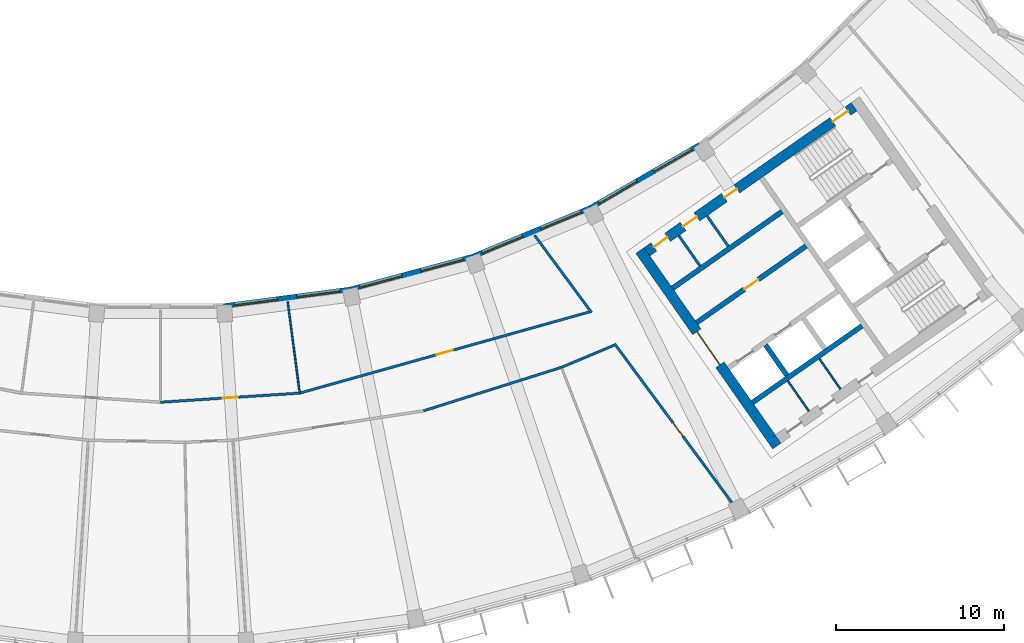
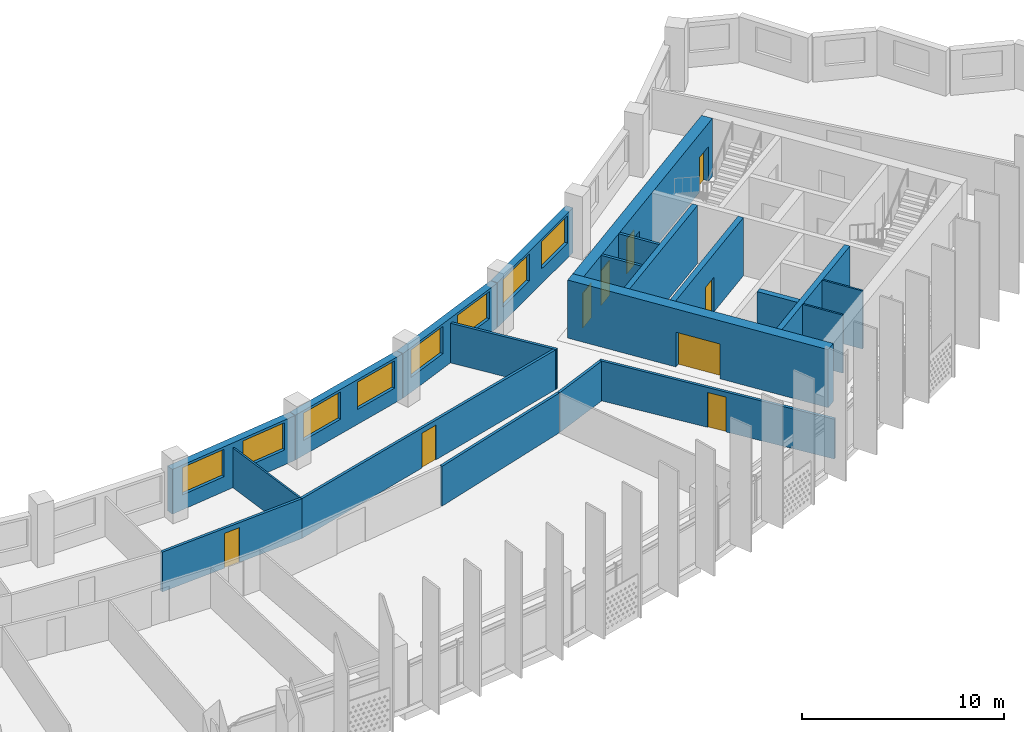
# One storey, part 6 of 28: 21 walls, 9 doors, 8 windows, 17 openings.
"""IFC4 building model written with IfcOpenShell, lengths in metres."""

from ifc_helpers import new_model, si_unit, direction, frame, frame_2d, origin, place, context, subcontext, project, spatial, rectangle, extrude, material, layer, layer_set, type_object, element, fill, save


model = new_model("IFC4")

# Units and contexts
model_context = context("Model", 3, precision=1e-05, world=origin(), true_north=direction((0.0, 1.0)))
body_context = subcontext(model_context, "Body", "Model", "MODEL_VIEW")
ifc_project = project(units=[si_unit("LENGTHUNIT", "METRE"), si_unit("AREAUNIT", "SQUARE_METRE"), si_unit("VOLUMEUNIT", "CUBIC_METRE"), si_unit("PLANEANGLEUNIT", "RADIAN"), si_unit("MASSUNIT", "GRAM", prefix="KILO")], contexts=[model_context])

# Site, building, storey
site_placement = place(None, origin())
site = spatial("IfcSite", under=ifc_project, at=site_placement, CompositionType="ELEMENT")
building_placement = place(site_placement, origin())
building = spatial("IfcBuilding", under=site, at=building_placement, Name="Qamariyya Broadcast Tower", CompositionType="ELEMENT")
storey_placement = place(building_placement, frame((0.0, 0.0, 273.300048828125)))
storey = spatial("IfcBuildingStorey", under=building, at=storey_placement, Name="L66", CompositionType="ELEMENT", Elevation=273.300048828125)

# Wall, opening, door
ifc_material_1 = material(Name="Concrete C60/75", Category="concrete")
ifc_layer_1 = layer(ifc_material_1, 0.60009765625)
ifc_layer_set_1 = layer_set([ifc_layer_1], Name="Core wall 600 mm Concrete C60/75")
wall_type_1 = type_object("IfcWallType", Name="Core wall 600 mm Concrete C60/75", PredefinedType="SHEAR", material=ifc_layer_set_1)
wall_1_placement = place(storey_placement, frame((36.66748046875, -66.005126953125, 0.0), z_axis=(0.0, 0.0, 1.0), x_axis=(-0.573568499524, 0.819157601658, 0.0)))
wall_1 = element("IfcWall", 1, at=wall_1_placement, inside=storey, type_object=wall_type_1, Name="k-E-L66-WA", PredefinedType="SHEAR", context=body_context, shape_type="SweptSolid", body=[
    extrude(rectangle(XDim=14.19970703125, YDim=0.60009765625, at=frame_2d((7.099853515625, 0.0))), origin(), (0.0, 0.0, 1.0), 3.5),
])
opening_1_placement = place(wall_1_placement, frame((5.89990234375, 0.0, 0.0)))
opening_1 = element("IfcOpeningElement", 2, at=opening_1_placement, cuts=wall_1, Name="Opening KD3-E1", PredefinedType="OPENING", context=body_context, shape_type="SweptSolid", body=[
    extrude(rectangle(XDim=2.39990234375, YDim=2.10009765625, at=frame_2d((1.199951171875, 1.050048828125))), frame((0.0, 0.31005859375, 0.0), z_axis=(0.0, -1.0, 0.0), x_axis=(1.0, 0.0, 0.0)), (0.0, 0.0, 1.0), 0.6201171875),
])
ifc_material_2 = material(Name="Steel fire-resisting door leaf", Category="steel")
door_type_1 = type_object("IfcDoorType", Name="Lift lobby door KD3", OperationType="DOUBLE_DOOR_SINGLE_SWING", PredefinedType="DOOR", material=ifc_material_2)
door_1_placement = place(opening_1_placement, origin())
door_1 = element("IfcDoor", 3, at=door_1_placement, inside=storey, type_object=door_type_1, Name="k-E-L66-WA-D1", OperationType="DOUBLE_DOOR_SINGLE_SWING", OverallHeight=2.10009765625, OverallWidth=2.39990234375, PredefinedType="DOOR", context=body_context, shape_type="SweptSolid", body=[
    extrude(rectangle(XDim=2.39990234375, YDim=2.10009765625, at=frame_2d((1.199951171875, 1.050048828125))), frame((0.0, 0.02490234375, 0.0), z_axis=(0.0, -1.0, 0.0), x_axis=(1.0, 0.0, 0.0)), (0.0, 0.0, 1.0), 0.050048828125),
])
fill(opening_1, door_1)

# Wall, openings, doors
wall_2_placement = place(storey_placement, frame((28.940673828125, -54.447021484375, 0.0), z_axis=(0.0, 0.0, 1.0), x_axis=(0.819153391756, 0.573574511963, 0.0)))
wall_2 = element("IfcWall", 4, at=wall_2_placement, inside=storey, type_object=wall_type_1, Name="k-E-L66-WI", PredefinedType="SHEAR", context=body_context, shape_type="SweptSolid", body=[
    extrude(rectangle(XDim=15.04541015625, YDim=0.60009765625, at=frame_2d((7.522705078125, 0.0))), origin(), (0.0, 0.0, 1.0), 3.5),
])
opening_2_placement = place(wall_2_placement, frame((0.5, 0.0, 0.0)))
opening_2 = element("IfcOpeningElement", 5, at=opening_2_placement, cuts=wall_2, Name="Opening KD6-E2", PredefinedType="OPENING", context=body_context, shape_type="SweptSolid", body=[
    extrude(rectangle(XDim=1.0, YDim=2.10009765625, at=frame_2d((0.5, 1.050048828125))), frame((0.0, 0.31005859375, 0.0), z_axis=(0.0, -1.0, 0.0), x_axis=(1.0, 0.0, 0.0)), (0.0, 0.0, 1.0), 0.6201171875),
])
opening_3_placement = place(wall_2_placement, frame((2.625, 0.0, 0.0)))
opening_3 = element("IfcOpeningElement", 6, at=opening_3_placement, cuts=wall_2, Name="Opening KD7-E1", PredefinedType="OPENING", context=body_context, shape_type="SweptSolid", body=[
    extrude(rectangle(XDim=1.0, YDim=2.10009765625, at=frame_2d((0.5, 1.050048828125))), frame((0.0, 0.31005859375, 0.0), z_axis=(0.0, -1.0, 0.0), x_axis=(1.0, 0.0, 0.0)), (0.0, 0.0, 1.0), 0.6201171875),
])
opening_4_placement = place(wall_2_placement, frame((5.625, 0.0, 0.0)))
opening_4 = element("IfcOpeningElement", 7, at=opening_4_placement, cuts=wall_2, Name="Opening KD5-E1", PredefinedType="OPENING", context=body_context, shape_type="SweptSolid", body=[
    extrude(rectangle(XDim=0.89990234375, YDim=2.10009765625, at=frame_2d((0.449951171875, 1.050048828125))), frame((0.0, 0.31005859375, 0.0), z_axis=(0.0, -1.0, 0.0), x_axis=(1.0, 0.0, 0.0)), (0.0, 0.0, 1.0), 0.6201171875),
])
opening_5_placement = place(wall_2_placement, frame((13.495361328125, 0.0, 0.0)))
opening_5 = element("IfcOpeningElement", 8, at=opening_5_placement, cuts=wall_2, Name="Opening KD1-E1", PredefinedType="OPENING", context=body_context, shape_type="SweptSolid", body=[
    extrude(rectangle(XDim=1.10009765625, YDim=2.10009765625, at=frame_2d((0.550048828125, 1.050048828125))), frame((0.0, 0.31005859375, 0.0), z_axis=(0.0, -1.0, 0.0), x_axis=(1.0, 0.0, 0.0)), (0.0, 0.0, 1.0), 0.6201171875),
])
door_type_2 = type_object("IfcDoorType", Name="Accessible toilet door KD7", OperationType="SINGLE_SWING_LEFT", PredefinedType="DOOR", material=ifc_material_2)
door_2_placement = place(opening_3_placement, origin())
door_2 = element("IfcDoor", 9, at=door_2_placement, inside=storey, type_object=door_type_2, Name="k-E-L66-WI-D6", OperationType="SINGLE_SWING_RIGHT", OverallHeight=2.10009765625, OverallWidth=1.0, PredefinedType="DOOR", context=body_context, shape_type="SweptSolid", body=[
    extrude(rectangle(XDim=1.0, YDim=2.10009765625, at=frame_2d((0.5, 1.050048828125))), frame((0.0, 0.02490234375, 0.0), z_axis=(0.0, -1.0, 0.0), x_axis=(1.0, 0.0, 0.0)), (0.0, 0.0, 1.0), 0.050048828125),
])
fill(opening_3, door_2)
door_type_3 = type_object("IfcDoorType", Name="Core room door KD6", OperationType="SINGLE_SWING_LEFT", PredefinedType="DOOR", material=ifc_material_2)
door_3_placement = place(opening_2_placement, origin())
door_3 = element("IfcDoor", 10, at=door_3_placement, inside=storey, type_object=door_type_3, Name="k-E-L66-WI-D5", OperationType="SINGLE_SWING_LEFT", OverallHeight=2.10009765625, OverallWidth=1.0, PredefinedType="DOOR", context=body_context, shape_type="SweptSolid", body=[
    extrude(rectangle(XDim=1.0, YDim=2.10009765625, at=frame_2d((0.5, 1.050048828125))), frame((0.0, 0.02490234375, 0.0), z_axis=(0.0, -1.0, 0.0), x_axis=(1.0, 0.0, 0.0)), (0.0, 0.0, 1.0), 0.050048828125),
])
fill(opening_2, door_3)
door_type_4 = type_object("IfcDoorType", Name="Stair door KD1", OperationType="SINGLE_SWING_LEFT", PredefinedType="DOOR", material=ifc_material_2)
door_4_placement = place(opening_5_placement, origin())
door_4 = element("IfcDoor", 11, at=door_4_placement, inside=storey, type_object=door_type_4, Name="k-E-L66-WI-D14", OperationType="SINGLE_SWING_RIGHT", OverallHeight=2.10009765625, OverallWidth=1.10009765625, PredefinedType="DOOR", context=body_context, shape_type="SweptSolid", body=[
    extrude(rectangle(XDim=1.10009765625, YDim=2.10009765625, at=frame_2d((0.550048828125, 1.050048828125))), frame((0.0, 0.02490234375, 0.0), z_axis=(0.0, -1.0, 0.0), x_axis=(1.0, 0.0, 0.0)), (0.0, 0.0, 1.0), 0.050048828125),
])
fill(opening_5, door_4)
door_type_5 = type_object("IfcDoorType", Name="Toilet door KD5", OperationType="SINGLE_SWING_LEFT", PredefinedType="DOOR", material=ifc_material_2)
door_5_placement = place(opening_4_placement, origin())
door_5 = element("IfcDoor", 12, at=door_5_placement, inside=storey, type_object=door_type_5, Name="k-E-L66-WI-D7", OperationType="SINGLE_SWING_LEFT", OverallHeight=2.10009765625, OverallWidth=0.89990234375, PredefinedType="DOOR", context=body_context, shape_type="SweptSolid", body=[
    extrude(rectangle(XDim=0.89990234375, YDim=2.10009765625, at=frame_2d((0.449951171875, 1.050048828125))), frame((0.0, 0.02490234375, 0.0), z_axis=(0.0, -1.0, 0.0), x_axis=(1.0, 0.0, 0.0)), (0.0, 0.0, 1.0), 0.050048828125),
])
fill(opening_4, door_5)

# Wall, opening, door
ifc_material_3 = material(Name="Gypsum board partition")
ifc_layer_2 = layer(ifc_material_3, 0.14990234375)
ifc_layer_set_2 = layer_set([ifc_layer_2], Name="Corridor partition 150 EI 60")
wall_type_2 = type_object("IfcWallType", Name="Corridor partition 150 EI 60", PredefinedType="PARTITIONING", material=ifc_layer_set_2)
wall_3_placement = place(storey_placement, frame((0.0, -63.39990234375, 0.0), z_axis=(0.0, 0.0, 1.0), x_axis=(0.997860193426, 0.065383747038, 0.0)))
wall_3 = element("IfcWall", 13, at=wall_3_placement, inside=storey, type_object=wall_type_2, Name="Partition L66-016", PredefinedType="PARTITIONING", context=body_context, shape_type="SweptSolid", body=[
    extrude(rectangle(XDim=8.293212890625, YDim=0.14990234375, at=frame_2d((4.146484375, 0.0))), origin(), (0.0, 0.0, 1.0), 2.39990234375),
])
opening_6_placement = place(wall_3_placement, frame((3.696533203125, 0.0, 0.0)))
opening_6 = element("IfcOpeningElement", 14, at=opening_6_placement, cuts=wall_3, Name="Opening L66-D11", PredefinedType="OPENING", context=body_context, shape_type="SweptSolid", body=[
    extrude(rectangle(XDim=0.89990234375, YDim=2.10009765625, at=frame_2d((0.449951171875, 1.050048828125))), frame((0.0, 0.0849609375, 0.0), z_axis=(0.0, -1.0, 0.0), x_axis=(1.0, 0.0, 0.0)), (0.0, 0.0, 1.0), 0.169921875),
])
ifc_material_4 = material(Name="Timber fire door leaf", Category="wood")
door_type_6 = type_object("IfcDoorType", Name="Fire door 900 x 2100 FD60", OperationType="NOTDEFINED", PredefinedType="DOOR", material=ifc_material_4)
door_6_placement = place(opening_6_placement, origin())
door_6 = element("IfcDoor", 15, at=door_6_placement, inside=storey, type_object=door_type_6, Name="Door L66-D11", OperationType="SINGLE_SWING_RIGHT", OverallHeight=2.10009765625, OverallWidth=0.89990234375, PredefinedType="DOOR", context=body_context, shape_type="SweptSolid", body=[
    extrude(rectangle(XDim=0.89990234375, YDim=2.10009765625, at=frame_2d((0.449951171875, 1.050048828125))), frame((0.0, 0.02490234375, 0.0), z_axis=(0.0, -1.0, 0.0), x_axis=(1.0, 0.0, 0.0)), (0.0, 0.0, 1.0), 0.050048828125),
])
fill(opening_6, door_6)

wall_4_placement = place(storey_placement, frame((8.275390625, -62.857666015625, 0.0), z_axis=(0.0, 0.0, 1.0), x_axis=(0.962894070423, 0.269879619727, 0.0)))
wall_4 = element("IfcWall", 16, at=wall_4_placement, inside=storey, type_object=wall_type_2, Name="Partition L66-023", PredefinedType="PARTITIONING", context=body_context, shape_type="SweptSolid", body=[
    extrude(rectangle(XDim=17.915283203125, YDim=0.14990234375, at=frame_2d((8.95751953125, 0.0))), origin(), (0.0, 0.0, 1.0), 2.39990234375),
])
opening_7_placement = place(wall_4_placement, frame((8.45751953125, 0.0, 0.0)))
opening_7 = element("IfcOpeningElement", 17, at=opening_7_placement, cuts=wall_4, Name="Opening L66-D12", PredefinedType="OPENING", context=body_context, shape_type="SweptSolid", body=[
    extrude(rectangle(XDim=1.0, YDim=2.10009765625, at=frame_2d((0.5, 1.050048828125))), frame((0.0, 0.0849609375, 0.0), z_axis=(0.0, -1.0, 0.0), x_axis=(1.0, 0.0, 0.0)), (0.0, 0.0, 1.0), 0.169921875),
])
door_type_7 = type_object("IfcDoorType", Name="Fire door 1000 x 2100 FD60", OperationType="NOTDEFINED", PredefinedType="DOOR", material=ifc_material_4)
door_7_placement = place(opening_7_placement, origin())
door_7 = element("IfcDoor", 18, at=door_7_placement, inside=storey, type_object=door_type_7, Name="Door L66-D12", OperationType="SINGLE_SWING_RIGHT", OverallHeight=2.10009765625, OverallWidth=1.0, PredefinedType="DOOR", context=body_context, shape_type="SweptSolid", body=[
    extrude(rectangle(XDim=1.0, YDim=2.10009765625, at=frame_2d((0.5, 1.050048828125))), frame((0.0, 0.02490234375, 0.0), z_axis=(0.0, -1.0, 0.0), x_axis=(1.0, 0.0, 0.0)), (0.0, 0.0, 1.0), 0.050048828125),
])
fill(opening_7, door_7)

# Walls
wall_5_placement = place(storey_placement, frame((15.646240234375, -63.912109375, 0.0), z_axis=(0.0, 0.0, 1.0), x_axis=(0.953721600462, 0.300691052097, 0.0)))
element("IfcWall", 19, at=wall_5_placement, inside=storey, type_object=wall_type_2, Name="Partition L66-024", PredefinedType="PARTITIONING", context=body_context, shape_type="SweptSolid", body=[
    extrude(rectangle(XDim=8.598388671875, YDim=0.14990234375, at=frame_2d((4.29931640625, 0.0))), origin(), (0.0, 0.0, 1.0), 2.39990234375),
])
wall_6_placement = place(storey_placement, frame((22.251953125, -53.469482421875, 0.0), z_axis=(0.0, 0.0, 1.0), x_axis=(0.593872728047, -0.804558999006, 0.0)))
element("IfcWall", 20, at=wall_6_placement, inside=storey, type_object=wall_type_2, Name="Partition L66-025", PredefinedType="PARTITIONING", context=body_context, shape_type="SweptSolid", body=[
    extrude(rectangle(XDim=5.709228515625, YDim=0.14990234375, at=frame_2d((2.8544921875, 0.0))), origin(), (0.0, 0.0, 1.0), 2.39990234375),
])
wall_7_placement = place(storey_placement, frame((23.8466796875, -61.32666015625, 0.0), z_axis=(0.0, 0.0, 1.0), x_axis=(0.922124291828, 0.386893771494, 0.0)))
element("IfcWall", 21, at=wall_7_placement, inside=storey, type_object=wall_type_2, Name="Partition L66-026", PredefinedType="PARTITIONING", context=body_context, shape_type="SweptSolid", body=[
    extrude(rectangle(XDim=3.406982421875, YDim=0.14990234375, at=frame_2d((1.70361328125, 0.0))), origin(), (0.0, 0.0, 1.0), 2.39990234375),
])

# Wall, opening, door
wall_8_placement = place(storey_placement, frame((34.534423828125, -70.109130859375, 0.0), z_axis=(0.0, 0.0, 1.0), x_axis=(-0.593869528805, 0.804561360467, 0.0)))
wall_8 = element("IfcWall", 22, at=wall_8_placement, inside=storey, type_object=wall_type_2, Name="Partition L66-027", PredefinedType="PARTITIONING", context=body_context, shape_type="SweptSolid", body=[
    extrude(rectangle(XDim=12.665283203125, YDim=0.14990234375, at=frame_2d((6.33251953125, 0.0))), origin(), (0.0, 0.0, 1.0), 2.39990234375),
])
opening_8_placement = place(wall_8_placement, frame((5.832763671875, 0.0, 0.0)))
opening_8 = element("IfcOpeningElement", 23, at=opening_8_placement, cuts=wall_8, Name="Opening L66-D07", PredefinedType="OPENING", context=body_context, shape_type="SweptSolid", body=[
    extrude(rectangle(XDim=1.0, YDim=2.10009765625, at=frame_2d((0.5, 1.050048828125))), frame((0.0, 0.0849609375, 0.0), z_axis=(0.0, -1.0, 0.0), x_axis=(1.0, 0.0, 0.0)), (0.0, 0.0, 1.0), 0.169921875),
])
door_8_placement = place(opening_8_placement, origin())
door_8 = element("IfcDoor", 24, at=door_8_placement, inside=storey, type_object=door_type_7, Name="Door L66-D07", OperationType="SINGLE_SWING_RIGHT", OverallHeight=2.10009765625, OverallWidth=1.0, PredefinedType="DOOR", context=body_context, shape_type="SweptSolid", body=[
    extrude(rectangle(XDim=1.0, YDim=2.10009765625, at=frame_2d((0.5, 1.050048828125))), frame((0.0, 0.02490234375, 0.0), z_axis=(0.0, -1.0, 0.0), x_axis=(1.0, 0.0, 0.0)), (0.0, 0.0, 1.0), 0.050048828125),
])
fill(opening_8, door_8)

# Walls
ifc_material_5 = material(Name="Gypsum board partition on steel studs", Category="steel")
ifc_layer_3 = layer(ifc_material_5, 0.14990234375)
ifc_layer_set_3 = layer_set([ifc_layer_3], Name="Gypsum board partition 150 mm")
wall_type_3 = type_object("IfcWallType", Name="Gypsum board partition 150 mm", PredefinedType="PARTITIONING", material=ifc_layer_set_3)
wall_9_placement = place(storey_placement, frame((32.0947265625, -55.290283203125, 0.0), z_axis=(0.0, 0.0, 1.0), x_axis=(-0.573559170999, 0.819164133348, 0.0)))
element("IfcWall", 25, at=wall_9_placement, inside=storey, type_object=wall_type_3, Name="k-E-L66-NP210", PredefinedType="PARTITIONING", context=body_context, shape_type="SweptSolid", body=[
    extrude(rectangle(XDim=2.19970703125, YDim=0.14990234375, at=frame_2d((1.099853515625, 0.0))), origin(), (0.0, 0.0, 1.0), 3.5),
])
wall_10_placement = place(storey_placement, frame((33.774169921875, -54.114501953125, 0.0), z_axis=(0.0, 0.0, 1.0), x_axis=(-0.573581496053, 0.819148501424, 0.0)))
element("IfcWall", 26, at=wall_10_placement, inside=storey, type_object=wall_type_3, Name="k-E-L66-NP415", PredefinedType="PARTITIONING", context=body_context, shape_type="SweptSolid", body=[
    extrude(rectangle(XDim=2.2001953125, YDim=0.14990234375, at=frame_2d((1.10009765625, 0.0))), origin(), (0.0, 0.0, 1.0), 3.5),
])

# Wall, opening, door
ifc_layer_4 = layer(ifc_material_1, 0.300048828125)
ifc_layer_set_4 = layer_set([ifc_layer_4], Name="Lift shaft wall 300 mm Concrete C60/75")
wall_type_4 = type_object("IfcWallType", Name="Lift shaft wall 300 mm Concrete C60/75", PredefinedType="SOLIDWALL", material=ifc_layer_set_4)
wall_11_placement = place(storey_placement, frame((31.89453125, -58.66552734375, 0.0), z_axis=(0.0, 0.0, 1.0), x_axis=(0.819166993208, 0.573555086491, 0.0)))
wall_11 = element("IfcWall", 27, at=wall_11_placement, inside=storey, type_object=wall_type_4, Name="k-E-L66-NF0", PredefinedType="SOLIDWALL", context=body_context, shape_type="SweptSolid", body=[
    extrude(rectangle(XDim=7.9501953125, YDim=0.300048828125, at=frame_2d((3.97509765625, 0.0))), origin(), (0.0, 0.0, 1.0), 3.5),
])
opening_9_placement = place(wall_11_placement, frame((3.47509765625, 0.0, 0.0)))
opening_9 = element("IfcOpeningElement", 28, at=opening_9_placement, cuts=wall_11, Name="Opening KD6-E1", PredefinedType="OPENING", context=body_context, shape_type="SweptSolid", body=[
    extrude(rectangle(XDim=1.0, YDim=2.10009765625, at=frame_2d((0.5, 1.050048828125))), frame((0.0, 0.159912109375, 0.0), z_axis=(0.0, -1.0, 0.0), x_axis=(1.0, 0.0, 0.0)), (0.0, 0.0, 1.0), 0.320068359375),
])
door_9_placement = place(opening_9_placement, origin())
door_9 = element("IfcDoor", 29, at=door_9_placement, inside=storey, type_object=door_type_3, Name="k-E-L66-NF0-D2", OperationType="SINGLE_SWING_RIGHT", OverallHeight=2.10009765625, OverallWidth=1.0, PredefinedType="DOOR", context=body_context, shape_type="SweptSolid", body=[
    extrude(rectangle(XDim=1.0, YDim=2.10009765625, at=frame_2d((0.5, 1.050048828125))), frame((0.0, 0.02490234375, 0.0), z_axis=(0.0, -1.0, 0.0), x_axis=(1.0, 0.0, 0.0)), (0.0, 0.0, 1.0), 0.050048828125),
])
fill(opening_9, door_9)

# Walls
wall_12_placement = place(storey_placement, frame((30.460693359375, -56.61767578125, 0.0), z_axis=(0.0, 0.0, 1.0), x_axis=(0.819142461705, 0.573590121456, 0.0)))
element("IfcWall", 30, at=wall_12_placement, inside=storey, type_object=wall_type_4, Name="k-E-L66-NB0", PredefinedType="SOLIDWALL", context=body_context, shape_type="SweptSolid", body=[
    extrude(rectangle(XDim=7.949951171875, YDim=0.300048828125, at=frame_2d((3.97509765625, 0.0))), origin(), (0.0, 0.0, 1.0), 3.5),
])
wall_13_placement = place(storey_placement, frame((35.22119140625, -63.41650390625, 0.0), z_axis=(0.0, 0.0, 1.0), x_axis=(0.819166993208, 0.573555086491, 0.0)))
element("IfcWall", 31, at=wall_13_placement, inside=storey, type_object=wall_type_4, Name="k-E-L66-SB0", PredefinedType="SOLIDWALL", context=body_context, shape_type="SweptSolid", body=[
    extrude(rectangle(XDim=7.9501953125, YDim=0.300048828125, at=frame_2d((3.97509765625, 0.0))), origin(), (0.0, 0.0, 1.0), 3.5),
])
wall_14_placement = place(storey_placement, frame((36.003173828125, -60.000244140625, 0.0), z_axis=(0.0, 0.0, 1.0), x_axis=(0.573581496053, -0.819148501424, 0.0)))
element("IfcWall", 32, at=wall_14_placement, inside=storey, type_object=wall_type_4, Name="k-E-L66-SD0", PredefinedType="SOLIDWALL", context=body_context, shape_type="SweptSolid", body=[
    extrude(rectangle(XDim=2.2001953125, YDim=0.300048828125, at=frame_2d((1.10009765625, 0.0))), origin(), (0.0, 0.0, 1.0), 3.5),
])
ifc_layer_5 = layer(ifc_material_3, 0.10009765625)
ifc_layer_set_5 = layer_set([ifc_layer_5], Name="Partition 100")
wall_type_5 = type_object("IfcWallType", Name="Partition 100", PredefinedType="PARTITIONING", material=ifc_layer_set_5)
wall_15_placement = place(storey_placement, frame((7.56103515625, -57.430908203125, 0.0), z_axis=(0.0, 0.0, 1.0), x_axis=(0.130516514475, -0.991446135425, 0.0)))
element("IfcWall", 33, at=wall_15_placement, inside=storey, type_object=wall_type_5, Name="Partition L66-022", PredefinedType="PARTITIONING", context=body_context, shape_type="SweptSolid", body=[
    extrude(rectangle(XDim=5.3984375, YDim=0.10009765625, at=frame_2d((2.69921875, 0.0))), origin(), (0.0, 0.0, 1.0), 2.39990234375),
])
ifc_material_6 = material(Name="Fire-rated gypsum shaft liner on steel studs", Category="steel")
ifc_layer_6 = layer(ifc_material_6, 0.10009765625)
ifc_layer_set_6 = layer_set([ifc_layer_6], Name="Riser wall 100 mm")
wall_type_6 = type_object("IfcWallType", Name="Riser wall 100 mm", PredefinedType="PLUMBINGWALL", material=ifc_layer_set_6)
wall_16_placement = place(storey_placement, frame((37.314208984375, -62.13427734375, 0.0), z_axis=(0.0, 0.0, 1.0), x_axis=(0.573633636671, -0.819111989218, 0.0)))
element("IfcWall", 34, at=wall_16_placement, inside=storey, type_object=wall_type_6, Name="k-E-L66-SP245", PredefinedType="PLUMBINGWALL", context=body_context, shape_type="SweptSolid", body=[
    extrude(rectangle(XDim=2.199951171875, YDim=0.10009765625, at=frame_2d((1.10009765625, 0.0))), origin(), (0.0, 0.0, 1.0), 3.5),
])
wall_17_placement = place(storey_placement, frame((39.1982421875, -60.81494140625, 0.0), z_axis=(0.0, 0.0, 1.0), x_axis=(0.573581496053, -0.819148501424, 0.0)))
element("IfcWall", 35, at=wall_17_placement, inside=storey, type_object=wall_type_6, Name="k-E-L66-SP475", PredefinedType="PLUMBINGWALL", context=body_context, shape_type="SweptSolid", body=[
    extrude(rectangle(XDim=2.2001953125, YDim=0.10009765625, at=frame_2d((1.10009765625, 0.0))), origin(), (0.0, 0.0, 1.0), 3.5),
])

# Wall, openings, windows
ifc_material_7 = material(Name="Terracotta", Category="masonry")
ifc_layer_7 = layer(ifc_material_7, 0.39990234375)
ifc_layer_set_7 = layer_set([ifc_layer_7], Name="Terracotta clad wall 400")
wall_type_7 = type_object("IfcWallType", Name="Terracotta clad wall 400", PredefinedType="SOLIDWALL", material=ifc_layer_set_7)
wall_18_placement = place(storey_placement, frame((25.609619140625, -51.875, 0.0), z_axis=(0.0, 0.0, 1.0), x_axis=(-0.923887531937, -0.382664119472, 0.0)))
wall_18 = element("IfcWall", 36, at=wall_18_placement, inside=storey, type_object=wall_type_7, Name="e-wl-L66-in100", PredefinedType="SOLIDWALL", context=body_context, shape_type="SweptSolid", body=[
    extrude(rectangle(XDim=7.6171875, YDim=0.39990234375, at=frame_2d((3.80859375, 0.0))), origin(), (0.0, 0.0, 1.0), 2.699951171875),
])
opening_10_placement = place(wall_18_placement, frame((4.393798828125, 0.0, 0.89990234375)))
opening_10 = element("IfcOpeningElement", 37, at=opening_10_placement, cuts=wall_18, Name="Opening W1", PredefinedType="OPENING", context=body_context, shape_type="SweptSolid", body=[
    extrude(rectangle(XDim=2.60009765625, YDim=1.64990234375, at=frame_2d((1.300048828125, 0.824951171875))), frame((0.0, 0.2099609375, 0.0), z_axis=(0.0, -1.0, 0.0), x_axis=(1.0, 0.0, 0.0)), (0.0, 0.0, 1.0), 0.419921875),
])
opening_11_placement = place(wall_18_placement, frame((0.623291015625, 0.0, 0.89990234375)))
opening_11 = element("IfcOpeningElement", 38, at=opening_11_placement, cuts=wall_18, Name="Opening W1", PredefinedType="OPENING", context=body_context, shape_type="SweptSolid", body=[
    extrude(rectangle(XDim=2.60009765625, YDim=1.64990234375, at=frame_2d((1.300048828125, 0.824951171875))), frame((0.0, 0.2099609375, 0.0), z_axis=(0.0, -1.0, 0.0), x_axis=(1.0, 0.0, 0.0)), (0.0, 0.0, 1.0), 0.419921875),
])
ifc_material_8 = material(Name="Clear low-e double glazed unit in aluminium frame", Category="aluminium")
window_type = type_object("IfcWindowType", Name="Ribbon window 2600 x 1650", PartitioningType="SINGLE_PANEL", PredefinedType="WINDOW", material=ifc_material_8)
window_1_placement = place(opening_10_placement, origin())
window_1 = element("IfcWindow", 39, at=window_1_placement, inside=storey, type_object=window_type, Name="e-w-L66-in10-0", OverallHeight=1.64990234375, OverallWidth=2.60009765625, PartitioningType="SINGLE_PANEL", PredefinedType="WINDOW", context=body_context, shape_type="SweptSolid", body=[
    extrude(rectangle(XDim=2.60009765625, YDim=1.64990234375, at=frame_2d((1.300048828125, 0.824951171875))), frame((0.0, 0.030029296875, 0.0), z_axis=(0.0, -1.0, 0.0), x_axis=(1.0, 0.0, 0.0)), (0.0, 0.0, 1.0), 0.06005859375),
])
fill(opening_10, window_1)
window_2_placement = place(opening_11_placement, origin())
window_2 = element("IfcWindow", 40, at=window_2_placement, inside=storey, type_object=window_type, Name="e-w-L66-in10-1", OverallHeight=1.64990234375, OverallWidth=2.60009765625, PartitioningType="SINGLE_PANEL", PredefinedType="WINDOW", context=body_context, shape_type="SweptSolid", body=[
    extrude(rectangle(XDim=2.60009765625, YDim=1.64990234375, at=frame_2d((1.300048828125, 0.824951171875))), frame((0.0, 0.030029296875, 0.0), z_axis=(0.0, -1.0, 0.0), x_axis=(1.0, 0.0, 0.0)), (0.0, 0.0, 1.0), 0.06005859375),
])
fill(opening_11, window_2)

wall_19_placement = place(storey_placement, frame((32.095947265625, -48.126220703125, 0.0), z_axis=(0.0, 0.0, 1.0), x_axis=(-0.866016763373, -0.500014965334, 0.0)))
wall_19 = element("IfcWall", 41, at=wall_19_placement, inside=storey, type_object=wall_type_7, Name="e-wl-L66-in110", PredefinedType="SOLIDWALL", context=body_context, shape_type="SweptSolid", body=[
    extrude(rectangle(XDim=7.465576171875, YDim=0.39990234375, at=frame_2d((3.73291015625, 0.0))), origin(), (0.0, 0.0, 1.0), 2.699951171875),
])
opening_12_placement = place(wall_19_placement, frame((4.318115234375, 0.0, 0.89990234375)))
opening_12 = element("IfcOpeningElement", 42, at=opening_12_placement, cuts=wall_19, Name="Opening W1", PredefinedType="OPENING", context=body_context, shape_type="SweptSolid", body=[
    extrude(rectangle(XDim=2.60009765625, YDim=1.64990234375, at=frame_2d((1.300048828125, 0.824951171875))), frame((0.0, 0.2099609375, 0.0), z_axis=(0.0, -1.0, 0.0), x_axis=(1.0, 0.0, 0.0)), (0.0, 0.0, 1.0), 0.419921875),
])
opening_13_placement = place(wall_19_placement, frame((0.547607421875, 0.0, 0.89990234375)))
opening_13 = element("IfcOpeningElement", 43, at=opening_13_placement, cuts=wall_19, Name="Opening W1", PredefinedType="OPENING", context=body_context, shape_type="SweptSolid", body=[
    extrude(rectangle(XDim=2.60009765625, YDim=1.64990234375, at=frame_2d((1.300048828125, 0.824951171875))), frame((0.0, 0.2099609375, 0.0), z_axis=(0.0, -1.0, 0.0), x_axis=(1.0, 0.0, 0.0)), (0.0, 0.0, 1.0), 0.419921875),
])
window_3_placement = place(opening_12_placement, origin())
window_3 = element("IfcWindow", 44, at=window_3_placement, inside=storey, type_object=window_type, Name="e-w-L66-in11-0", OverallHeight=1.64990234375, OverallWidth=2.60009765625, PartitioningType="SINGLE_PANEL", PredefinedType="WINDOW", context=body_context, shape_type="SweptSolid", body=[
    extrude(rectangle(XDim=2.60009765625, YDim=1.64990234375, at=frame_2d((1.300048828125, 0.824951171875))), frame((0.0, 0.030029296875, 0.0), z_axis=(0.0, -1.0, 0.0), x_axis=(1.0, 0.0, 0.0)), (0.0, 0.0, 1.0), 0.06005859375),
])
fill(opening_12, window_3)
window_4_placement = place(opening_13_placement, origin())
window_4 = element("IfcWindow", 45, at=window_4_placement, inside=storey, type_object=window_type, Name="e-w-L66-in11-1", OverallHeight=1.64990234375, OverallWidth=2.60009765625, PartitioningType="SINGLE_PANEL", PredefinedType="WINDOW", context=body_context, shape_type="SweptSolid", body=[
    extrude(rectangle(XDim=2.60009765625, YDim=1.64990234375, at=frame_2d((1.300048828125, 0.824951171875))), frame((0.0, 0.030029296875, 0.0), z_axis=(0.0, -1.0, 0.0), x_axis=(1.0, 0.0, 0.0)), (0.0, 0.0, 1.0), 0.06005859375),
])
fill(opening_13, window_4)

wall_20_placement = place(storey_placement, frame((11.310791015625, -56.735595703125, 0.0), z_axis=(0.0, 0.0, 1.0), x_axis=(-0.991446548217, -0.130513378733, 0.0)))
wall_20 = element("IfcWall", 46, at=wall_20_placement, inside=storey, type_object=wall_type_7, Name="e-wl-L66-in80", PredefinedType="SOLIDWALL", context=body_context, shape_type="SweptSolid", body=[
    extrude(rectangle(XDim=7.6171875, YDim=0.39990234375, at=frame_2d((3.80859375, 0.0))), origin(), (0.0, 0.0, 1.0), 2.699951171875),
])
opening_14_placement = place(wall_20_placement, frame((4.393798828125, 0.0, 0.89990234375)))
opening_14 = element("IfcOpeningElement", 47, at=opening_14_placement, cuts=wall_20, Name="Opening W1", PredefinedType="OPENING", context=body_context, shape_type="SweptSolid", body=[
    extrude(rectangle(XDim=2.60009765625, YDim=1.64990234375, at=frame_2d((1.300048828125, 0.824951171875))), frame((0.0, 0.2099609375, 0.0), z_axis=(0.0, -1.0, 0.0), x_axis=(1.0, 0.0, 0.0)), (0.0, 0.0, 1.0), 0.419921875),
])
opening_15_placement = place(wall_20_placement, frame((0.623291015625, 0.0, 0.89990234375)))
opening_15 = element("IfcOpeningElement", 48, at=opening_15_placement, cuts=wall_20, Name="Opening W1", PredefinedType="OPENING", context=body_context, shape_type="SweptSolid", body=[
    extrude(rectangle(XDim=2.60009765625, YDim=1.64990234375, at=frame_2d((1.300048828125, 0.824951171875))), frame((0.0, 0.2099609375, 0.0), z_axis=(0.0, -1.0, 0.0), x_axis=(1.0, 0.0, 0.0)), (0.0, 0.0, 1.0), 0.419921875),
])
window_5_placement = place(opening_14_placement, origin())
window_5 = element("IfcWindow", 49, at=window_5_placement, inside=storey, type_object=window_type, Name="e-w-L66-in08-0", OverallHeight=1.64990234375, OverallWidth=2.60009765625, PartitioningType="SINGLE_PANEL", PredefinedType="WINDOW", context=body_context, shape_type="SweptSolid", body=[
    extrude(rectangle(XDim=2.60009765625, YDim=1.64990234375, at=frame_2d((1.300048828125, 0.824951171875))), frame((0.0, 0.030029296875, 0.0), z_axis=(0.0, -1.0, 0.0), x_axis=(1.0, 0.0, 0.0)), (0.0, 0.0, 1.0), 0.06005859375),
])
fill(opening_14, window_5)
window_6_placement = place(opening_15_placement, origin())
window_6 = element("IfcWindow", 50, at=window_6_placement, inside=storey, type_object=window_type, Name="e-w-L66-in08-1", OverallHeight=1.64990234375, OverallWidth=2.60009765625, PartitioningType="SINGLE_PANEL", PredefinedType="WINDOW", context=body_context, shape_type="SweptSolid", body=[
    extrude(rectangle(XDim=2.60009765625, YDim=1.64990234375, at=frame_2d((1.300048828125, 0.824951171875))), frame((0.0, 0.030029296875, 0.0), z_axis=(0.0, -1.0, 0.0), x_axis=(1.0, 0.0, 0.0)), (0.0, 0.0, 1.0), 0.06005859375),
])
fill(opening_15, window_6)

wall_21_placement = place(storey_placement, frame((18.54638671875, -54.79345703125, 0.0), z_axis=(0.0, 0.0, 1.0), x_axis=(-0.965923236695, -0.258828709406, 0.0)))
wall_21 = element("IfcWall", 51, at=wall_21_placement, inside=storey, type_object=wall_type_7, Name="e-wl-L66-in90", PredefinedType="SOLIDWALL", context=body_context, shape_type="SweptSolid", body=[
    extrude(rectangle(XDim=7.4658203125, YDim=0.39990234375, at=frame_2d((3.73291015625, 0.0))), origin(), (0.0, 0.0, 1.0), 2.699951171875),
])
opening_16_placement = place(wall_21_placement, frame((4.318115234375, 0.0, 0.89990234375)))
opening_16 = element("IfcOpeningElement", 52, at=opening_16_placement, cuts=wall_21, Name="Opening W1", PredefinedType="OPENING", context=body_context, shape_type="SweptSolid", body=[
    extrude(rectangle(XDim=2.60009765625, YDim=1.64990234375, at=frame_2d((1.300048828125, 0.824951171875))), frame((0.0, 0.2099609375, 0.0), z_axis=(0.0, -1.0, 0.0), x_axis=(1.0, 0.0, 0.0)), (0.0, 0.0, 1.0), 0.419921875),
])
opening_17_placement = place(wall_21_placement, frame((0.547607421875, 0.0, 0.89990234375)))
opening_17 = element("IfcOpeningElement", 53, at=opening_17_placement, cuts=wall_21, Name="Opening W1", PredefinedType="OPENING", context=body_context, shape_type="SweptSolid", body=[
    extrude(rectangle(XDim=2.60009765625, YDim=1.64990234375, at=frame_2d((1.300048828125, 0.824951171875))), frame((0.0, 0.2099609375, 0.0), z_axis=(0.0, -1.0, 0.0), x_axis=(1.0, 0.0, 0.0)), (0.0, 0.0, 1.0), 0.419921875),
])
window_7_placement = place(opening_16_placement, origin())
window_7 = element("IfcWindow", 54, at=window_7_placement, inside=storey, type_object=window_type, Name="e-w-L66-in09-0", OverallHeight=1.64990234375, OverallWidth=2.60009765625, PartitioningType="SINGLE_PANEL", PredefinedType="WINDOW", context=body_context, shape_type="SweptSolid", body=[
    extrude(rectangle(XDim=2.60009765625, YDim=1.64990234375, at=frame_2d((1.300048828125, 0.824951171875))), frame((0.0, 0.030029296875, 0.0), z_axis=(0.0, -1.0, 0.0), x_axis=(1.0, 0.0, 0.0)), (0.0, 0.0, 1.0), 0.06005859375),
])
fill(opening_16, window_7)
window_8_placement = place(opening_17_placement, origin())
window_8 = element("IfcWindow", 55, at=window_8_placement, inside=storey, type_object=window_type, Name="e-w-L66-in09-1", OverallHeight=1.64990234375, OverallWidth=2.60009765625, PartitioningType="SINGLE_PANEL", PredefinedType="WINDOW", context=body_context, shape_type="SweptSolid", body=[
    extrude(rectangle(XDim=2.60009765625, YDim=1.64990234375, at=frame_2d((1.300048828125, 0.824951171875))), frame((0.0, 0.030029296875, 0.0), z_axis=(0.0, -1.0, 0.0), x_axis=(1.0, 0.0, 0.0)), (0.0, 0.0, 1.0), 0.06005859375),
])
fill(opening_17, window_8)

save(model, "model.ifc")
